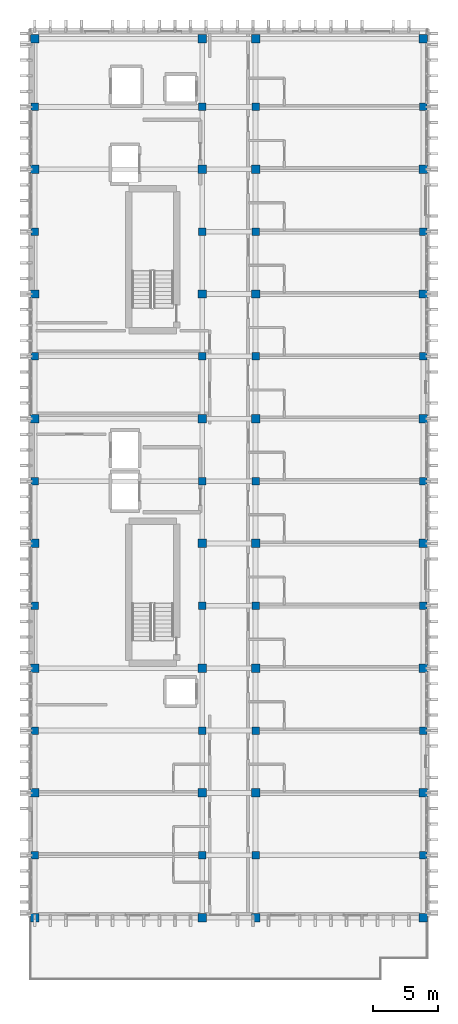
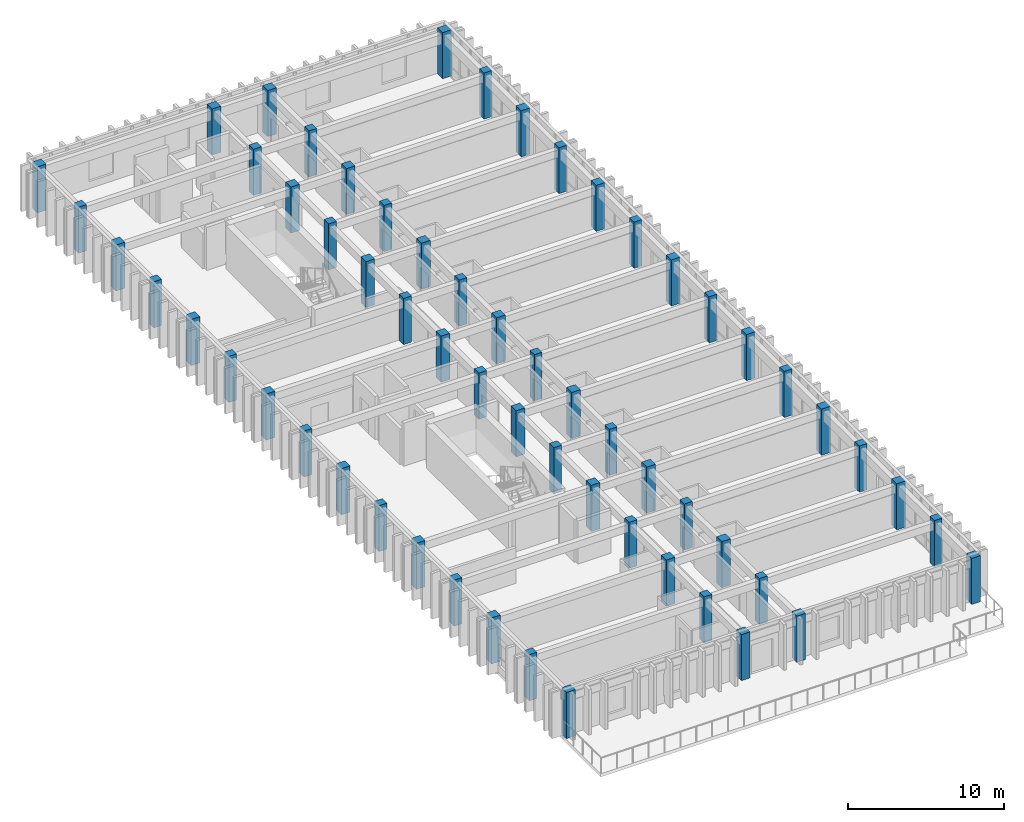
# One storey, part 1 of 49: 60 columns.
"""IFC4 building model written with IfcOpenShell, lengths in metres."""

from ifc_helpers import new_model, si_unit, direction, frame, origin, origin_2d, place, context, subcontext, project, spatial, rectangle, extrude, material, material_profile, profile_set, type_object, element, save


model = new_model("IFC4")

# Units and contexts
model_context = context("Model", 3, precision=1e-05, world=origin(), true_north=direction((0.0, 1.0)))
body_context = subcontext(model_context, "Body", "Model", "MODEL_VIEW")
ifc_project = project(units=[si_unit("LENGTHUNIT", "METRE"), si_unit("AREAUNIT", "SQUARE_METRE"), si_unit("VOLUMEUNIT", "CUBIC_METRE"), si_unit("PLANEANGLEUNIT", "RADIAN"), si_unit("MASSUNIT", "GRAM", prefix="KILO")], contexts=[model_context])

# Site, building, storey
site_placement = place(None, origin())
site = spatial("IfcSite", under=ifc_project, at=site_placement, CompositionType="ELEMENT")
building_placement = place(site_placement, origin())
building = spatial("IfcBuilding", under=site, at=building_placement, Name="Nakhvara Creek Congress Hotel", CompositionType="ELEMENT")
storey_placement = place(building_placement, frame((0.0, 0.0, 39.0)))
storey = spatial("IfcBuildingStorey", under=building, at=storey_placement, Name="L09", CompositionType="ELEMENT", Elevation=39.0)

# Columns
ifc_material = material(Name="Concrete C50/60", Category="concrete")
ifc_material_profile_1 = material_profile(ifc_material, rectangle(XDim=0.580078125, YDim=0.580078125, at=origin_2d()), Name="RC-COL 580x580", Category="LoadBearing")
ifc_profile_set_1 = profile_set([ifc_material_profile_1], Name="Concrete C50/60")
column_type_1 = type_object("IfcColumnType", Name="COL-RC-580", PredefinedType="COLUMN", material=ifc_profile_set_1)
for number, where, z_axis, x_axis, name in (
    (1, (149.449951171875, 62.39990234375, 0.0), (0.0, 0.0, 1.0), (1.0, 0.0, 0.0), "Column C23-L09-1791"),
    (2, (149.449951171875, 72.0, 0.0), (0.0, 0.0, 1.0), (1.0, 0.0, 0.0), "Column C23-L09-1792"),
    (3, (149.449951171875, 81.60009765625, 0.0), (0.0, 0.0, 1.0), (1.0, 0.0, 0.0), "Column C23-L09-1793"),
    (4, (149.449951171875, 91.199951171875, 0.0), (0.0, 0.0, 1.0), (1.0, 0.0, 0.0), "Column C23-L09-1794"),
    (5, (149.449951171875, 100.800048828125, 0.0), (0.0, 0.0, 1.0), (1.0, 0.0, 0.0), "Column C23-L09-1795"),
    (6, (149.449951171875, 110.39990234375, 0.0), (0.0, 0.0, 1.0), (1.0, 0.0, 0.0), "Column C23-L09-1796"),
    (7, (149.449951171875, 120.0, 0.0), (0.0, 0.0, 1.0), (1.0, 0.0, 0.0), "Column C23-L09-1797"),
    (8, (162.35009765625, 62.39990234375, 0.0), (0.0, 0.0, 1.0), (1.0, 0.0, 0.0), "Column C23-L09-1798"),
    (9, (162.35009765625, 72.0, 0.0), (0.0, 0.0, 1.0), (1.0, 0.0, 0.0), "Column C23-L09-1799"),
    (10, (162.35009765625, 81.60009765625, 0.0), (0.0, 0.0, 1.0), (1.0, 0.0, 0.0), "Column C23-L09-1800"),
    (11, (162.35009765625, 91.199951171875, 0.0), (0.0, 0.0, 1.0), (1.0, 0.0, 0.0), "Column C23-L09-1801"),
    (12, (162.35009765625, 100.800048828125, 0.0), (0.0, 0.0, 1.0), (1.0, 0.0, 0.0), "Column C23-L09-1802"),
    (13, (162.35009765625, 110.39990234375, 0.0), (0.0, 0.0, 1.0), (1.0, 0.0, 0.0), "Column C23-L09-1803"),
    (14, (162.35009765625, 120.0, 0.0), (0.0, 0.0, 1.0), (1.0, 0.0, 0.0), "Column C23-L09-1804"),
    (15, (166.449951171875, 62.39990234375, 0.0), (0.0, 0.0, 1.0), (1.0, 0.0, 0.0), "Column C23-L09-1805"),
    (16, (166.449951171875, 72.0, 0.0), (0.0, 0.0, 1.0), (1.0, 0.0, 0.0), "Column C23-L09-1806"),
    (17, (166.449951171875, 81.60009765625, 0.0), (0.0, 0.0, 1.0), (1.0, 0.0, 0.0), "Column C23-L09-1807"),
    (18, (166.449951171875, 91.199951171875, 0.0), (0.0, 0.0, 1.0), (1.0, 0.0, 0.0), "Column C23-L09-1808"),
    (19, (166.449951171875, 100.800048828125, 0.0), (0.0, 0.0, 1.0), (1.0, 0.0, 0.0), "Column C23-L09-1809"),
    (20, (166.449951171875, 110.39990234375, 0.0), (0.0, 0.0, 1.0), (1.0, 0.0, 0.0), "Column C23-L09-1810"),
    (21, (166.449951171875, 120.0, 0.0), (0.0, 0.0, 1.0), (1.0, 0.0, 0.0), "Column C23-L09-1811"),
    (22, (179.35009765625, 62.39990234375, 0.0), (0.0, 0.0, 1.0), (1.0, 0.0, 0.0), "Column C23-L09-1812"),
    (23, (179.35009765625, 72.0, 0.0), (0.0, 0.0, 1.0), (1.0, 0.0, 0.0), "Column C23-L09-1813"),
    (24, (179.35009765625, 81.60009765625, 0.0), (0.0, 0.0, 1.0), (1.0, 0.0, 0.0), "Column C23-L09-1814"),
    (25, (179.35009765625, 91.199951171875, 0.0), (0.0, 0.0, 1.0), (1.0, 0.0, 0.0), "Column C23-L09-1815"),
    (26, (179.35009765625, 100.800048828125, 0.0), (0.0, 0.0, 1.0), (1.0, 0.0, 0.0), "Column C23-L09-1816"),
    (27, (179.35009765625, 110.39990234375, 0.0), (0.0, 0.0, 1.0), (1.0, 0.0, 0.0), "Column C23-L09-1817"),
    (28, (179.35009765625, 120.0, 0.0), (0.0, 0.0, 1.0), (1.0, 0.0, 0.0), "Column C23-L09-1818"),
):
    element("IfcColumn", number, at=place(storey_placement, frame(where, z_axis=z_axis, x_axis=x_axis)), inside=storey, type_object=column_type_1, Name=name, PredefinedType="COLUMN", context=body_context, shape_type="SweptSolid", body=[
        extrude(rectangle(XDim=0.580078125, YDim=0.580078125, at=origin_2d()), origin(), (0.0, 0.0, 1.0), 3.60009765625),
    ])
ifc_material_profile_2 = material_profile(ifc_material, rectangle(XDim=0.64990234375, YDim=0.64990234375, at=origin_2d()), Name="RC-COL 650x650", Category="LoadBearing")
ifc_profile_set_2 = profile_set([ifc_material_profile_2], Name="Concrete C50/60")
column_type_2 = type_object("IfcColumnType", Name="COL-RC-650", PredefinedType="COLUMN", material=ifc_profile_set_2)
for number, where, z_axis, x_axis, name in (
    (29, (149.449951171875, 57.60009765625, 0.0), (0.0, 0.0, 1.0), (1.0, 0.0, 0.0), "Column C07-L09-1759"),
    (30, (149.449951171875, 67.199951171875, 0.0), (0.0, 0.0, 1.0), (1.0, 0.0, 0.0), "Column C07-L09-1760"),
    (31, (149.449951171875, 76.800048828125, 0.0), (0.0, 0.0, 1.0), (1.0, 0.0, 0.0), "Column C07-L09-1761"),
    (32, (149.449951171875, 86.39990234375, 0.0), (0.0, 0.0, 1.0), (1.0, 0.0, 0.0), "Column C07-L09-1762"),
    (33, (149.449951171875, 96.0, 0.0), (0.0, 0.0, 1.0), (1.0, 0.0, 0.0), "Column C07-L09-1763"),
    (34, (149.449951171875, 105.60009765625, 0.0), (0.0, 0.0, 1.0), (1.0, 0.0, 0.0), "Column C07-L09-1764"),
    (35, (149.449951171875, 115.199951171875, 0.0), (0.0, 0.0, 1.0), (1.0, 0.0, 0.0), "Column C07-L09-1765"),
    (36, (149.449951171875, 125.25, 0.0), (0.0, 0.0, 1.0), (1.0, 0.0, 0.0), "Column C07-L09-1766"),
    (37, (162.35009765625, 57.60009765625, 0.0), (0.0, 0.0, 1.0), (1.0, 0.0, 0.0), "Column C07-L09-1767"),
    (38, (162.35009765625, 67.199951171875, 0.0), (0.0, 0.0, 1.0), (1.0, 0.0, 0.0), "Column C07-L09-1768"),
    (39, (162.35009765625, 76.800048828125, 0.0), (0.0, 0.0, 1.0), (1.0, 0.0, 0.0), "Column C07-L09-1769"),
    (40, (162.35009765625, 86.39990234375, 0.0), (0.0, 0.0, 1.0), (1.0, 0.0, 0.0), "Column C07-L09-1770"),
    (41, (162.35009765625, 96.0, 0.0), (0.0, 0.0, 1.0), (1.0, 0.0, 0.0), "Column C07-L09-1771"),
    (42, (162.35009765625, 105.60009765625, 0.0), (0.0, 0.0, 1.0), (1.0, 0.0, 0.0), "Column C07-L09-1772"),
    (43, (162.35009765625, 115.199951171875, 0.0), (0.0, 0.0, 1.0), (1.0, 0.0, 0.0), "Column C07-L09-1773"),
    (44, (162.35009765625, 125.25, 0.0), (0.0, 0.0, 1.0), (1.0, 0.0, 0.0), "Column C07-L09-1774"),
    (45, (166.449951171875, 57.60009765625, 0.0), (0.0, 0.0, 1.0), (1.0, 0.0, 0.0), "Column C07-L09-1775"),
    (46, (166.449951171875, 67.199951171875, 0.0), (0.0, 0.0, 1.0), (1.0, 0.0, 0.0), "Column C07-L09-1776"),
    (47, (166.449951171875, 76.800048828125, 0.0), (0.0, 0.0, 1.0), (1.0, 0.0, 0.0), "Column C07-L09-1777"),
    (48, (166.449951171875, 86.39990234375, 0.0), (0.0, 0.0, 1.0), (1.0, 0.0, 0.0), "Column C07-L09-1778"),
    (49, (166.449951171875, 96.0, 0.0), (0.0, 0.0, 1.0), (1.0, 0.0, 0.0), "Column C07-L09-1779"),
    (50, (166.449951171875, 105.60009765625, 0.0), (0.0, 0.0, 1.0), (1.0, 0.0, 0.0), "Column C07-L09-1780"),
    (51, (166.449951171875, 115.199951171875, 0.0), (0.0, 0.0, 1.0), (1.0, 0.0, 0.0), "Column C07-L09-1781"),
    (52, (166.449951171875, 125.25, 0.0), (0.0, 0.0, 1.0), (1.0, 0.0, 0.0), "Column C07-L09-1782"),
    (53, (179.35009765625, 57.60009765625, 0.0), (0.0, 0.0, 1.0), (1.0, 0.0, 0.0), "Column C07-L09-1783"),
    (54, (179.35009765625, 67.199951171875, 0.0), (0.0, 0.0, 1.0), (1.0, 0.0, 0.0), "Column C07-L09-1784"),
    (55, (179.35009765625, 76.800048828125, 0.0), (0.0, 0.0, 1.0), (1.0, 0.0, 0.0), "Column C07-L09-1785"),
    (56, (179.35009765625, 86.39990234375, 0.0), (0.0, 0.0, 1.0), (1.0, 0.0, 0.0), "Column C07-L09-1786"),
    (57, (179.35009765625, 96.0, 0.0), (0.0, 0.0, 1.0), (1.0, 0.0, 0.0), "Column C07-L09-1787"),
    (58, (179.35009765625, 105.60009765625, 0.0), (0.0, 0.0, 1.0), (1.0, 0.0, 0.0), "Column C07-L09-1788"),
    (59, (179.35009765625, 115.199951171875, 0.0), (0.0, 0.0, 1.0), (1.0, 0.0, 0.0), "Column C07-L09-1789"),
    (60, (179.35009765625, 125.25, 0.0), (0.0, 0.0, 1.0), (1.0, 0.0, 0.0), "Column C07-L09-1790"),
):
    element("IfcColumn", number, at=place(storey_placement, frame(where, z_axis=z_axis, x_axis=x_axis)), inside=storey, type_object=column_type_2, Name=name, PredefinedType="COLUMN", context=body_context, shape_type="SweptSolid", body=[
        extrude(rectangle(XDim=0.64990234375, YDim=0.64990234375, at=origin_2d()), origin(), (0.0, 0.0, 1.0), 3.60009765625),
    ])

save(model, "model.ifc")
